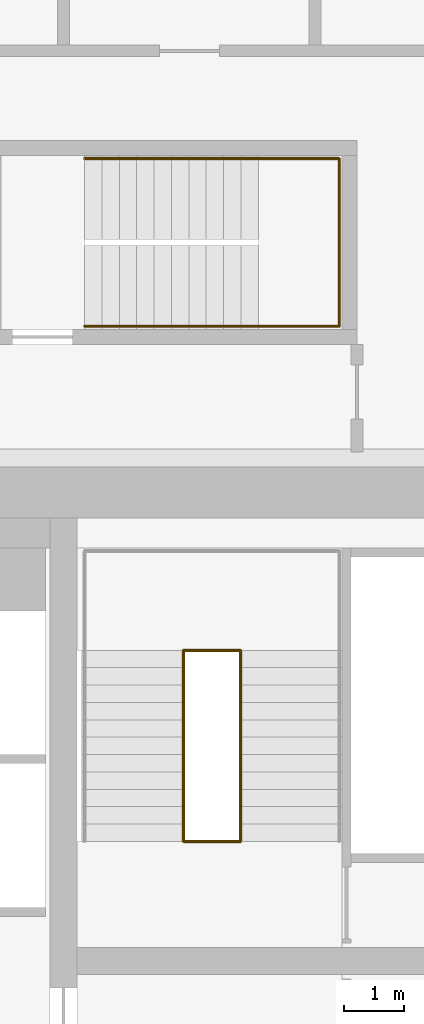
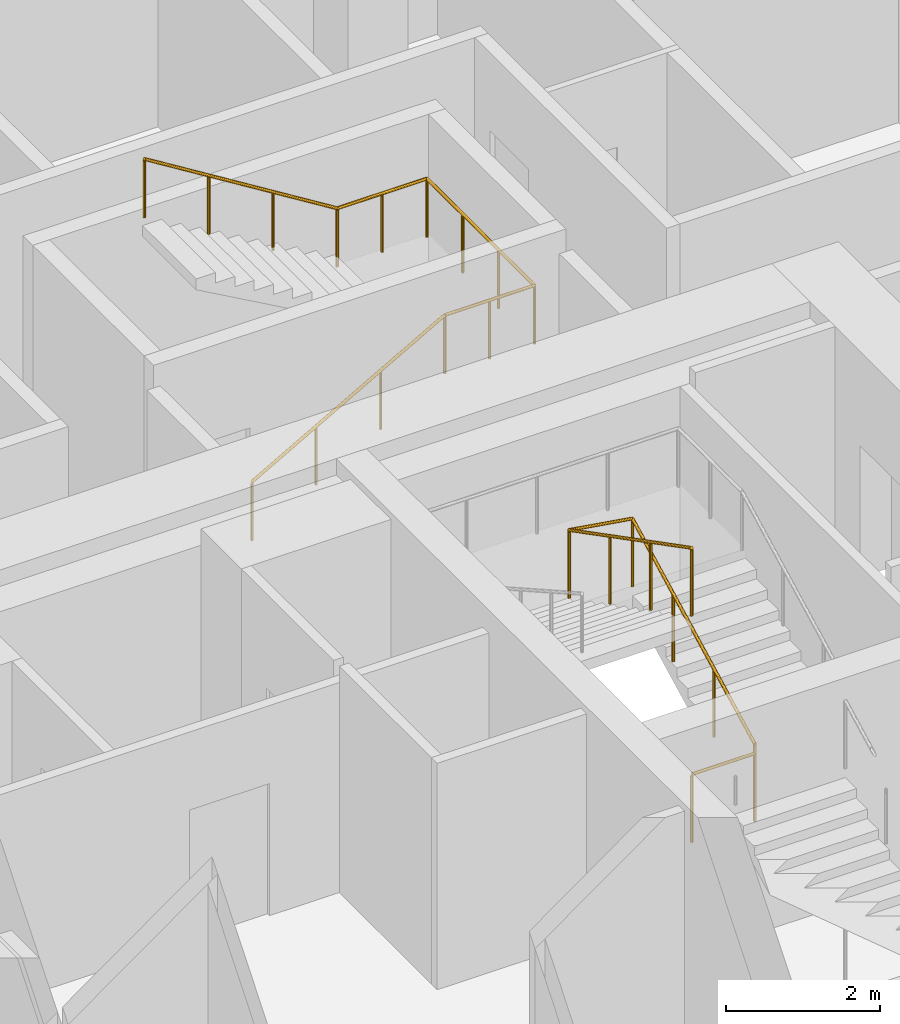
# One storey, part 23 of 23: 2 railings.
"""IFC4 building model written with IfcOpenShell, lengths in metres."""

from ifc_helpers import new_model, si_unit, direction, frame, origin, origin_2d, place, context, subcontext, project, spatial, circle, extrude, material, type_object, element, save


model = new_model("IFC4")

# Units and contexts
model_context = context("Model", 3, precision=1e-05, world=origin(), true_north=direction((0.0, 1.0)))
body_context = subcontext(model_context, "Body", "Model", "MODEL_VIEW")
ifc_project = project(units=[si_unit("LENGTHUNIT", "METRE"), si_unit("AREAUNIT", "SQUARE_METRE"), si_unit("VOLUMEUNIT", "CUBIC_METRE"), si_unit("PLANEANGLEUNIT", "RADIAN"), si_unit("MASSUNIT", "GRAM", prefix="KILO")], contexts=[model_context])

# Site, building, storey
site_placement = place(None, origin())
site = spatial("IfcSite", under=ifc_project, at=site_placement, CompositionType="ELEMENT")
building_placement = place(site_placement, origin())
building = spatial("IfcBuilding", under=site, at=building_placement, Name="Marenta Gate Hotel Tower", CompositionType="ELEMENT")
storey_placement = place(building_placement, frame((0.0, 0.0, 148.10009765625)))
storey = spatial("IfcBuildingStorey", under=building, at=storey_placement, Name="L34", CompositionType="ELEMENT", Elevation=148.10009765625)

# Railings
ifc_material_1 = material(Name="Stainless steel", Category="steel")
railing_type_1 = type_object("IfcRailingType", Name="Core stair handrail 950", PredefinedType="HANDRAIL", material=ifc_material_1)
railing_1_placement = place(storey_placement, frame((4.550048828125, 19.0, 0.16357421875)))
element("IfcRailing", 1, at=railing_1_placement, inside=storey, type_object=railing_type_1, Name="HR-950 L34-RS-Z2-4-KR-1", PredefinedType="HANDRAIL", context=body_context, shape_type="SweptSolid", body=[
    extrude(circle(Radius=0.02392578125, at=origin_2d()), frame((0.0, 0.0, 0.92578125), z_axis=(0.870928581787, 0.0, 0.491409610636), x_axis=(0.0, 1.0, 0.0)), (0.0, 0.0, 1.0), 3.32958984375),
    extrude(circle(Radius=0.02392578125, at=origin_2d()), frame((2.89990234375, 0.0, 2.56201171875), z_axis=(1.0, 0.0, 0.0), x_axis=(0.0, 1.0, 0.0)), (0.0, 0.0, 1.0), 1.35009765625),
    extrude(circle(Radius=0.02392578125, at=origin_2d()), frame((4.25, 0.0, 2.56201171875), z_axis=(0.0, 1.0, 0.0), x_axis=(-1.0, 0.0, 0.0)), (0.0, 0.0, 1.0), 2.800048828125),
    extrude(circle(Radius=0.02392578125, at=origin_2d()), frame((4.25, 2.800048828125, 2.56201171875), z_axis=(-1.0, 0.0, 0.0), x_axis=(0.0, -1.0, 0.0)), (0.0, 0.0, 1.0), 1.35009765625),
    extrude(circle(Radius=0.02392578125, at=origin_2d()), frame((2.89990234375, 2.800048828125, 2.56201171875), z_axis=(-0.849625798611, 0.0, 0.527386008853), x_axis=(0.0, -1.0, 0.0)), (0.0, 0.0, 1.0), 3.4130859375),
    extrude(circle(Radius=0.02099609375, at=origin_2d()), origin(), (0.0, 0.0, 1.0), 0.90185546875),
    extrude(circle(Radius=0.02099609375, at=origin_2d()), frame((0.966552734375, 0.0, 0.54541015625)), (0.0, 0.0, 1.0), 0.90185546875),
    extrude(circle(Radius=0.02099609375, at=origin_2d()), frame((1.933349609375, 0.0, 1.0908203125)), (0.0, 0.0, 1.0), 0.90185546875),
    extrude(circle(Radius=0.02099609375, at=origin_2d()), frame((2.89990234375, 0.0, 1.63623046875)), (0.0, 0.0, 1.0), 0.90185546875),
    extrude(circle(Radius=0.02099609375, at=origin_2d()), frame((3.574951171875, 0.0, 1.63623046875)), (0.0, 0.0, 1.0), 0.90185546875),
    extrude(circle(Radius=0.02099609375, at=origin_2d()), frame((4.25, 0.0, 1.63623046875)), (0.0, 0.0, 1.0), 0.90185546875),
    extrude(circle(Radius=0.02099609375, at=origin_2d()), frame((4.25, 0.933349609375, 1.63623046875)), (0.0, 0.0, 1.0), 0.90185546875),
    extrude(circle(Radius=0.02099609375, at=origin_2d()), frame((4.25, 1.86669921875, 1.63623046875)), (0.0, 0.0, 1.0), 0.90185546875),
    extrude(circle(Radius=0.02099609375, at=origin_2d()), frame((4.25, 2.800048828125, 1.63623046875)), (0.0, 0.0, 1.0), 0.90185546875),
    extrude(circle(Radius=0.02099609375, at=origin_2d()), frame((3.574951171875, 2.800048828125, 1.63623046875)), (0.0, 0.0, 1.0), 0.90185546875),
    extrude(circle(Radius=0.02099609375, at=origin_2d()), frame((2.89990234375, 2.800048828125, 1.63623046875)), (0.0, 0.0, 1.0), 0.90185546875),
    extrude(circle(Radius=0.02099609375, at=origin_2d()), frame((1.933349609375, 2.800048828125, 2.236328125)), (0.0, 0.0, 1.0), 0.90185546875),
    extrude(circle(Radius=0.02099609375, at=origin_2d()), frame((0.966552734375, 2.800048828125, 2.836181640625)), (0.0, 0.0, 1.0), 0.90185546875),
    extrude(circle(Radius=0.02099609375, at=origin_2d()), frame((0.0, 2.800048828125, 3.436279296875)), (0.0, 0.0, 1.0), 0.90185546875),
])
ifc_material_2 = material(Name="Stainless steel", Category="steel")
railing_type_2 = type_object("IfcRailingType", Name="Core stair well guard 1100", PredefinedType="GUARDRAIL", material=ifc_material_2)
railing_2_placement = place(storey_placement, frame((6.199951171875, 10.39990234375, 0.0)))
element("IfcRailing", 2, at=railing_2_placement, inside=storey, type_object=railing_type_2, Name="GR-1100 L34-KR-ST4-2", PredefinedType="GUARDRAIL", context=body_context, shape_type="SweptSolid", body=[
    extrude(circle(Radius=0.02392578125, at=origin_2d()), frame((0.0, 0.0, 1.076171875), z_axis=(1.0, 0.0, 0.0), x_axis=(0.0, 1.0, 0.0)), (0.0, 0.0, 1.0), 0.949951171875),
    extrude(circle(Radius=0.02392578125, at=origin_2d()), frame((0.949951171875, 0.0, 1.076171875), z_axis=(0.0, 0.0, 1.0), x_axis=(1.0, 0.0, 0.0)), (0.0, 0.0, 1.0), 0.14990234375),
    extrude(circle(Radius=0.02392578125, at=origin_2d()), frame((0.949951171875, 0.0, 1.22607421875), z_axis=(0.0, 0.888239641807, 0.459380385653), x_axis=(-1.0, 0.0, 0.0)), (0.0, 0.0, 1.0), 3.591552734375),
    extrude(circle(Radius=0.02392578125, at=origin_2d()), frame((0.949951171875, 3.190185546875, 2.8759765625), z_axis=(-0.987738253826, 0.0, 0.156118999255), x_axis=(0.0, -1.0, 0.0)), (0.0, 0.0, 1.0), 0.961669921875),
    extrude(circle(Radius=0.02392578125, at=origin_2d()), frame((0.0, 3.190185546875, 3.02587890625), z_axis=(0.0, -0.888239641807, 0.459380385653), x_axis=(1.0, 0.0, 0.0)), (0.0, 0.0, 1.0), 3.591552734375),
    extrude(circle(Radius=0.02099609375, at=origin_2d()), origin(), (0.0, 0.0, 1.0), 1.052001953125),
    extrude(circle(Radius=0.02099609375, at=origin_2d()), frame((0.949951171875, 0.0, 0.0)), (0.0, 0.0, 1.0), 1.052001953125),
    extrude(circle(Radius=0.02099609375, at=origin_2d()), frame((0.949951171875, 0.0, 0.14990234375)), (0.0, 0.0, 1.0), 1.052001953125),
    extrude(circle(Radius=0.02099609375, at=origin_2d()), frame((0.949951171875, 1.0634765625, 0.699951171875)), (0.0, 0.0, 1.0), 1.052001953125),
    extrude(circle(Radius=0.02099609375, at=origin_2d()), frame((0.949951171875, 2.126708984375, 1.249755859375)), (0.0, 0.0, 1.0), 1.052001953125),
    extrude(circle(Radius=0.02099609375, at=origin_2d()), frame((0.949951171875, 3.190185546875, 1.7998046875)), (0.0, 0.0, 1.0), 1.052001953125),
    extrude(circle(Radius=0.02099609375, at=origin_2d()), frame((0.0, 3.190185546875, 1.949951171875)), (0.0, 0.0, 1.0), 1.052001953125),
    extrude(circle(Radius=0.02099609375, at=origin_2d()), frame((0.0, 2.126708984375, 2.5)), (0.0, 0.0, 1.0), 1.052001953125),
    extrude(circle(Radius=0.02099609375, at=origin_2d()), frame((0.0, 1.0634765625, 3.0498046875)), (0.0, 0.0, 1.0), 1.052001953125),
    extrude(circle(Radius=0.02099609375, at=origin_2d()), frame((0.0, 0.0, 3.599853515625)), (0.0, 0.0, 1.0), 1.052001953125),
])

save(model, "model.ifc")
